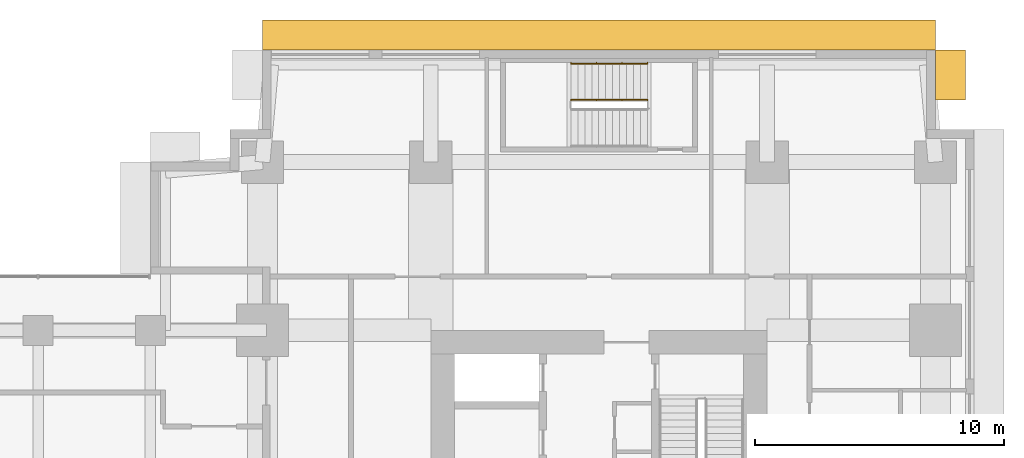
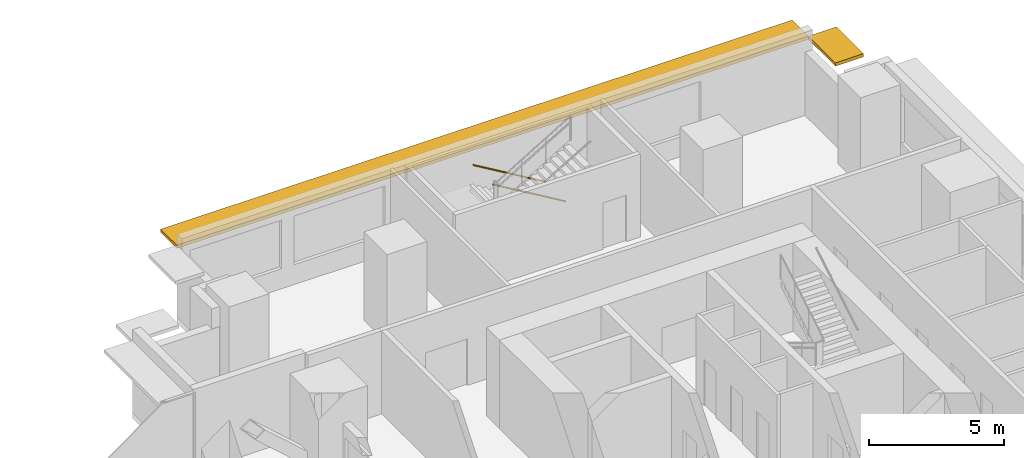
# One storey, part 16 of 16: 2 railings, 2 shading devices.
"""IFC4 building model written with IfcOpenShell, lengths in metres."""

from ifc_helpers import new_model, si_unit, direction, frame, origin, origin_2d, place, context, subcontext, project, spatial, rectangle, circle, extrude, material, layer, layer_set, type_object, element, save


model = new_model("IFC4")

# Units and contexts
model_context = context("Model", 3, precision=1e-05, world=origin(), true_north=direction((0.0, 1.0)))
body_context = subcontext(model_context, "Body", "Model", "MODEL_VIEW")
ifc_project = project(units=[si_unit("LENGTHUNIT", "METRE"), si_unit("AREAUNIT", "SQUARE_METRE"), si_unit("VOLUMEUNIT", "CUBIC_METRE"), si_unit("PLANEANGLEUNIT", "RADIAN"), si_unit("MASSUNIT", "GRAM", prefix="KILO")], contexts=[model_context])

# Site, building, storey
site_placement = place(None, origin())
site = spatial("IfcSite", under=ifc_project, at=site_placement, CompositionType="ELEMENT")
building_placement = place(site_placement, origin())
building = spatial("IfcBuilding", under=site, at=building_placement, Name="Namib Vertical Campus", CompositionType="ELEMENT")
storey_placement = place(building_placement, frame((0.0, 0.0, 125.0)))
storey = spatial("IfcBuildingStorey", under=building, at=storey_placement, Name="L29", CompositionType="ELEMENT", Elevation=125.0)

# Railings
ifc_material_1 = material(Name="Steel handrail", Category="steel")
railing_type = type_object("IfcRailingType", Name="Handrail 900", PredefinedType="HANDRAIL", material=ifc_material_1)
railing_1_placement = place(storey_placement, frame((82.949951171875, 39.949951171875, 0.166748046875)))
element("IfcRailing", 1, at=railing_1_placement, inside=storey, type_object=railing_type, Name="Handrail HR1 B-S3 L29 1", PredefinedType="HANDRAIL", context=body_context, shape_type="SweptSolid", body=[
    extrude(circle(Radius=0.02392578125, at=origin_2d()), frame((0.0, 0.0, 0.8759765625), z_axis=(-0.859290745958, 0.0, 0.51148745235), x_axis=(0.0, -1.0, 0.0)), (0.0, 0.0, 1.0), 3.584228515625),
    extrude(circle(Radius=0.008056640625, at=origin_2d()), frame((0.0, 0.0, 0.8759765625), z_axis=(0.0, 1.0, 0.0), x_axis=(0.0, 0.0, 1.0)), (0.0, 0.0, 1.0), 0.050048828125),
    extrude(circle(Radius=0.008056640625, at=origin_2d()), frame((-1.026611328125, 0.0, 1.48681640625), z_axis=(0.0, 1.0, 0.0), x_axis=(0.0, 0.0, 1.0)), (0.0, 0.0, 1.0), 0.050048828125),
    extrude(circle(Radius=0.008056640625, at=origin_2d()), frame((-2.05322265625, 0.0, 2.09814453125), z_axis=(0.0, 1.0, 0.0), x_axis=(0.0, 0.0, 1.0)), (0.0, 0.0, 1.0), 0.050048828125),
    extrude(circle(Radius=0.008056640625, at=origin_2d()), frame((-3.079833984375, 0.0, 2.708984375), z_axis=(0.0, 1.0, 0.0), x_axis=(0.0, 0.0, 1.0)), (0.0, 0.0, 1.0), 0.050048828125),
])
railing_2_placement = place(storey_placement, frame((82.949951171875, 38.5, 0.166748046875)))
element("IfcRailing", 2, at=railing_2_placement, inside=storey, type_object=railing_type, Name="Handrail HR1 B-S3 L29 1 at the well", PredefinedType="HANDRAIL", context=body_context, shape_type="SweptSolid", body=[
    extrude(circle(Radius=0.02392578125, at=origin_2d()), frame((0.0, 0.0, 0.8759765625), z_axis=(-0.859290745958, 0.0, 0.51148745235), x_axis=(0.0, -1.0, 0.0)), (0.0, 0.0, 1.0), 3.584228515625),
    extrude(circle(Radius=0.008056640625, at=origin_2d()), frame((0.0, 0.0, 0.8759765625), z_axis=(0.0, -1.0, 0.0), x_axis=(0.0, 0.0, 1.0)), (0.0, 0.0, 1.0), 0.0400390625),
    extrude(circle(Radius=0.008056640625, at=origin_2d()), frame((-1.026611328125, 0.0, 1.48681640625), z_axis=(0.0, -1.0, 0.0), x_axis=(0.0, 0.0, 1.0)), (0.0, 0.0, 1.0), 0.0400390625),
    extrude(circle(Radius=0.008056640625, at=origin_2d()), frame((-2.05322265625, 0.0, 2.09814453125), z_axis=(0.0, -1.0, 0.0), x_axis=(0.0, 0.0, 1.0)), (0.0, 0.0, 1.0), 0.0400390625),
    extrude(circle(Radius=0.008056640625, at=origin_2d()), frame((-3.079833984375, 0.0, 2.708984375), z_axis=(0.0, -1.0, 0.0), x_axis=(0.0, 0.0, 1.0)), (0.0, 0.0, 1.0), 0.0400390625),
])

# Shading devices
ifc_material_2 = material(Name="Concrete C40/50 precast", Category="concrete")
ifc_layer = layer(ifc_material_2, 0.14990234375)
ifc_layer_set = layer_set([ifc_layer], Name="Concrete C40/50 precast")
shading_device_type = type_object("IfcShadingDeviceType", Name="Sunshade hood 1200", PredefinedType="SHUTTER", material=ifc_layer_set)
shading_device_1_placement = place(storey_placement, frame((95.10009765625, 39.5, 3.10009765625), z_axis=(0.0, 0.0, 1.0), x_axis=(0.0, 1.0, 0.0)))
element("IfcShadingDevice", 3, at=shading_device_1_placement, inside=storey, type_object=shading_device_type, Name="Sunshade SH2 L29 7", PredefinedType="SHUTTER", context=body_context, shape_type="SweptSolid", body=[
    extrude(rectangle(XDim=2.0, YDim=1.199951171875, at=origin_2d()), origin(), (0.0, 0.0, 1.0), 0.14990234375),
])
shading_device_2_placement = place(storey_placement, frame((81.0, 41.10009765625, 3.10009765625), z_axis=(0.0, 0.0, 1.0), x_axis=(-1.0, 0.0, 0.0)))
element("IfcShadingDevice", 4, at=shading_device_2_placement, inside=storey, type_object=shading_device_type, Name="Sunshade SH2 L29 8", PredefinedType="SHUTTER", context=body_context, shape_type="SweptSolid", body=[
    extrude(rectangle(XDim=27.0, YDim=1.199951171875, at=origin_2d()), origin(), (0.0, 0.0, 1.0), 0.14990234375),
])

save(model, "model.ifc")
